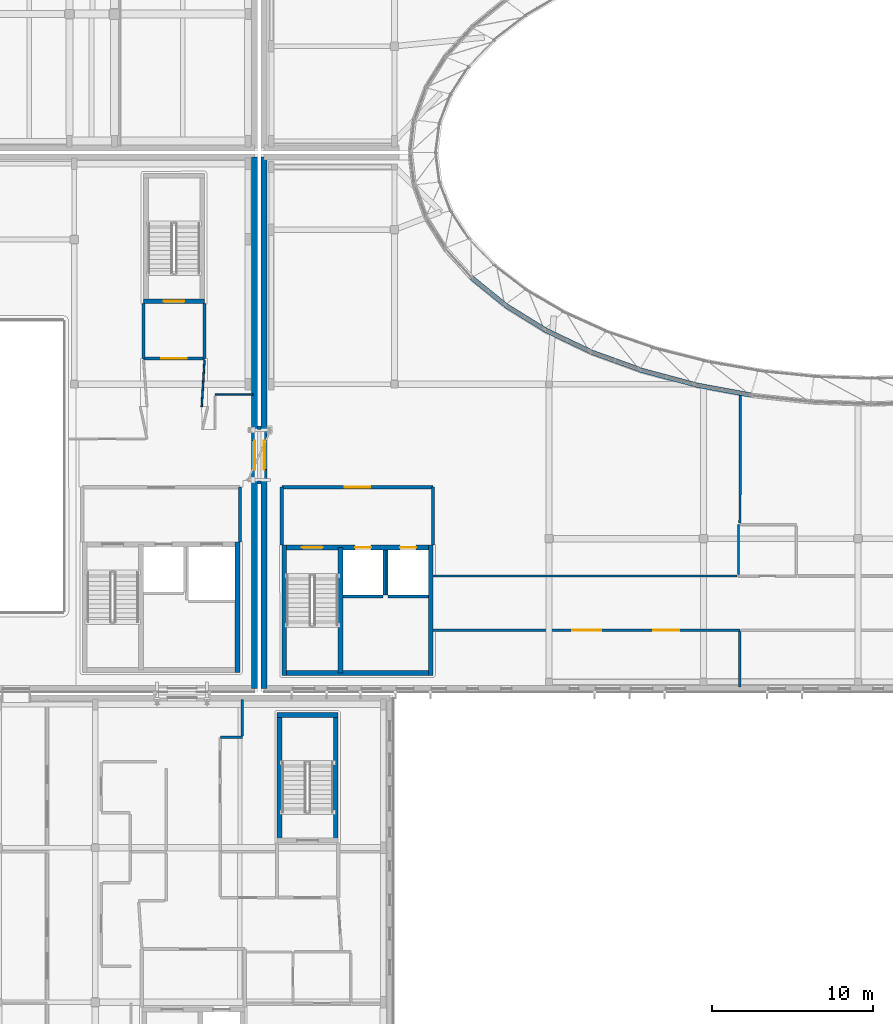
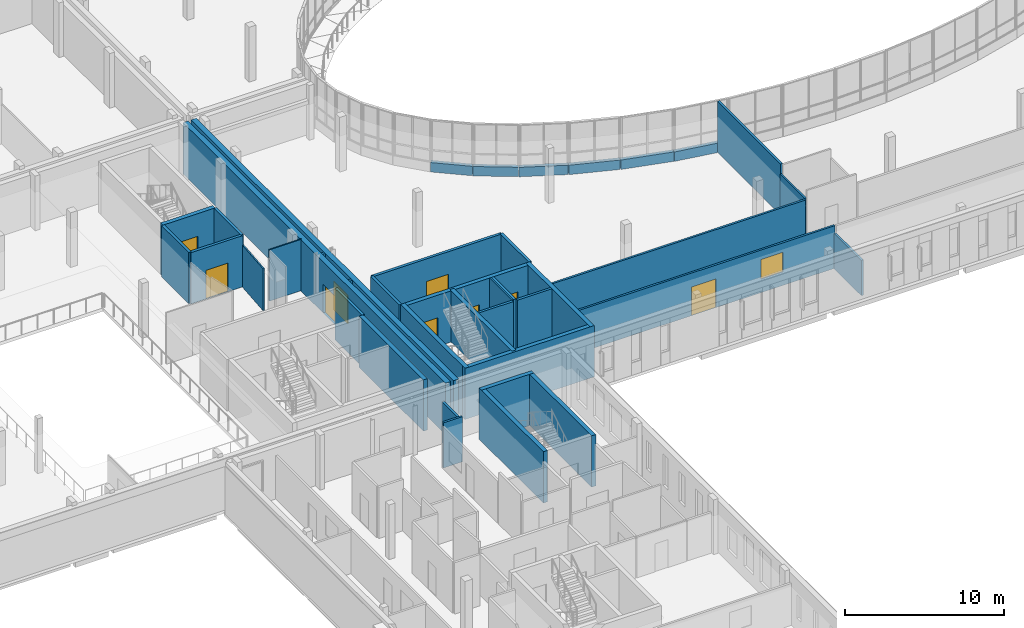
# One storey, part 44 of 84: 40 walls, 9 doors, 1 window, 10 openings.
"""IFC4 building model written with IfcOpenShell, lengths in metres."""

from ifc_helpers import new_model, si_unit, direction, frame, frame_2d, origin, place, context, subcontext, project, spatial, rectangle, extrude, material, layer, layer_set, type_object, element, fill, save


model = new_model("IFC4")

# Units and contexts
model_context = context("Model", 3, precision=1e-05, world=origin(), true_north=direction((0.0, 1.0)))
body_context = subcontext(model_context, "Body", "Model", "MODEL_VIEW")
ifc_project = project(units=[si_unit("LENGTHUNIT", "METRE"), si_unit("AREAUNIT", "SQUARE_METRE"), si_unit("VOLUMEUNIT", "CUBIC_METRE"), si_unit("PLANEANGLEUNIT", "RADIAN"), si_unit("MASSUNIT", "GRAM", prefix="KILO")], contexts=[model_context])

# Site, building, storey
site_placement = place(None, origin())
site = spatial("IfcSite", under=ifc_project, at=site_placement, CompositionType="ELEMENT")
building_placement = place(site_placement, origin())
building = spatial("IfcBuilding", under=site, at=building_placement, Name="Mzevani Central Library", CompositionType="ELEMENT")
storey_placement = place(building_placement, frame((0.0, 0.0, 5.39990234375)))
storey = spatial("IfcBuildingStorey", under=building, at=storey_placement, Name="L01", CompositionType="ELEMENT", Elevation=5.39990234375)

# Walls
ifc_material_1 = material(Name="Concrete C35/45", Category="concrete")
ifc_layer_1 = layer(ifc_material_1, 0.199951171875, Name="Compartment Wall 200")
ifc_layer_set_1 = layer_set([ifc_layer_1], Name="Concrete C35/45")
wall_type_1 = type_object("IfcWallType", Name="Compartment Wall 200", PredefinedType="STANDARD", material=ifc_layer_set_1)
for number, where, z_axis, x_axis, name in (
    (1, (45.89990234375, 55.5, 0.0), (0.0, 0.0, 1.0), (1.0, 0.0, 0.0), "L01 West Reading Seismic Passage L01 Seismic Joint Enclosure Wall 1"),
    (2, (45.89990234375, 58.89990234375, 0.0), (0.0, 0.0, 1.0), (1.0, 0.0, 0.0), "L01 West Reading Seismic Passage L01 Seismic Joint Enclosure Wall 2"),
):
    element("IfcWall", number, at=place(storey_placement, frame(where, z_axis=z_axis, x_axis=x_axis)), inside=storey, type_object=wall_type_1, Name=name, PredefinedType="STANDARD", context=body_context, shape_type="SweptSolid", body=[
        extrude(rectangle(XDim=0.2001953125, YDim=0.199951171875, at=frame_2d((0.10009765625, 0.0))), origin(), (0.0, 0.0, 1.0), 3.940185546875),
    ])
wall_1_placement = place(storey_placement, frame((47.39990234375, 51.60009765625, 0.0), z_axis=(0.0, 0.0, 1.0), x_axis=(0.0, 1.0, 0.0)))
element("IfcWall", 3, at=wall_1_placement, inside=storey, type_object=wall_type_1, Name="L01 Protected Stair Lobby C1A Enclosure Wall 1", PredefinedType="STANDARD", context=body_context, shape_type="SweptSolid", body=[
    extrude(rectangle(XDim=3.599853515625, YDim=0.199951171875, at=frame_2d((1.7998046875, 0.0))), origin(), (0.0, 0.0, 1.0), 3.940185546875),
])

# Wall, opening, door
wall_2_placement = place(storey_placement, frame((47.39990234375, 55.199951171875, 0.0), z_axis=(0.0, 0.0, 1.0), x_axis=(1.0, 0.0, 0.0)))
wall_2 = element("IfcWall", 4, at=wall_2_placement, inside=storey, type_object=wall_type_1, Name="L01 Protected Stair Lobby C1A Enclosure Wall 2", PredefinedType="STANDARD", context=body_context, shape_type="SweptSolid", body=[
    extrude(rectangle(XDim=9.400146484375, YDim=0.199951171875, at=frame_2d((4.7001953125, 0.0))), origin(), (0.0, 0.0, 1.0), 3.940185546875),
])
opening_1_placement = place(wall_2_placement, frame((3.89990234375, 0.0, 0.0)))
opening_1 = element("IfcOpeningElement", 5, at=opening_1_placement, cuts=wall_2, Name="Opening FD-02", PredefinedType="OPENING", context=body_context, shape_type="SweptSolid", body=[
    extrude(rectangle(XDim=1.60009765625, YDim=2.199951171875, at=frame_2d((0.800048828125, 1.10009765625))), frame((0.0, 0.10986328125, 0.0), z_axis=(0.0, -1.0, 0.0), x_axis=(1.0, 0.0, 0.0)), (0.0, 0.0, 1.0), 0.219970703125),
])
ifc_material_2 = material(Name="Fire-rated steel door assembly", Category="steel")
door_type_1 = type_object("IfcDoorType", Name="Fire Lobby Double Door 1600x2200", OperationType="NOTDEFINED", PredefinedType="DOOR", material=ifc_material_2)
door_1_placement = place(opening_1_placement, origin())
door_1 = element("IfcDoor", 6, at=door_1_placement, inside=storey, type_object=door_type_1, Name="L01 Protected Stair Lobby C1A Smoke-Control Door", OperationType="DOUBLE_DOOR_SINGLE_SWING", OverallHeight=2.199951171875, OverallWidth=1.60009765625, PredefinedType="DOOR", context=body_context, shape_type="SweptSolid", body=[
    extrude(rectangle(XDim=1.60009765625, YDim=2.199951171875, at=frame_2d((0.800048828125, 1.10009765625))), frame((0.0, 0.02490234375, 0.0), z_axis=(0.0, -1.0, 0.0), x_axis=(1.0, 0.0, 0.0)), (0.0, 0.0, 1.0), 0.050048828125),
])
fill(opening_1, door_1)

# Walls
wall_3_placement = place(storey_placement, frame((56.800048828125, 55.199951171875, 0.0), z_axis=(0.0, 0.0, 1.0), x_axis=(0.0, -1.0, 0.0)))
element("IfcWall", 7, at=wall_3_placement, inside=storey, type_object=wall_type_1, Name="L01 Protected Stair Lobby C1A Enclosure Wall 3", PredefinedType="STANDARD", context=body_context, shape_type="SweptSolid", body=[
    extrude(rectangle(XDim=3.599853515625, YDim=0.199951171875, at=frame_2d((1.7998046875, 0.0))), origin(), (0.0, 0.0, 1.0), 3.940185546875),
])
wall_4_placement = place(storey_placement, frame((44.800048828125, 55.199951171875, 0.0), z_axis=(0.0, 0.0, 1.0), x_axis=(0.0, -1.0, 0.0)))
element("IfcWall", 8, at=wall_4_placement, inside=storey, type_object=wall_type_1, Name="L01 Protected Stair Lobby C5A Enclosure Wall 3", PredefinedType="STANDARD", context=body_context, shape_type="SweptSolid", body=[
    extrude(rectangle(XDim=3.39990234375, YDim=0.199951171875, at=frame_2d((1.699951171875, 0.0))), origin(), (0.0, 0.0, 1.0), 3.940185546875),
])
wall_5_placement = place(storey_placement, frame((38.800048828125, 66.60009765625, 0.0), z_axis=(0.0, 0.0, 1.0), x_axis=(0.0, -1.0, 0.0)))
element("IfcWall", 9, at=wall_5_placement, inside=storey, type_object=wall_type_1, Name="L01 Stair Vestibule C5B Enclosure Wall 1", PredefinedType="STANDARD", context=body_context, shape_type="SweptSolid", body=[
    extrude(rectangle(XDim=3.400146484375, YDim=0.199951171875, at=frame_2d((1.7001953125, 0.0))), origin(), (0.0, 0.0, 1.0), 3.940185546875),
])

# Wall, opening, door
wall_6_placement = place(storey_placement, frame((38.800048828125, 63.199951171875, 0.0), z_axis=(0.0, 0.0, 1.0), x_axis=(1.0, 0.0, 0.0)))
wall_6 = element("IfcWall", 10, at=wall_6_placement, inside=storey, type_object=wall_type_1, Name="L01 Stair Vestibule C5B Enclosure Wall 2", PredefinedType="STANDARD", context=body_context, shape_type="SweptSolid", body=[
    extrude(rectangle(XDim=3.800048828125, YDim=0.199951171875, at=frame_2d((1.89990234375, 0.0))), origin(), (0.0, 0.0, 1.0), 3.940185546875),
])
opening_2_placement = place(wall_6_placement, frame((1.10009765625, 0.0, 0.0)))
opening_2 = element("IfcOpeningElement", 11, at=opening_2_placement, cuts=wall_6, Name="Opening FD-02", PredefinedType="OPENING", context=body_context, shape_type="SweptSolid", body=[
    extrude(rectangle(XDim=1.60009765625, YDim=2.199951171875, at=frame_2d((0.800048828125, 1.10009765625))), frame((0.0, 0.10986328125, 0.0), z_axis=(0.0, -1.0, 0.0), x_axis=(1.0, 0.0, 0.0)), (0.0, 0.0, 1.0), 0.219970703125),
])
door_2_placement = place(opening_2_placement, origin())
door_2 = element("IfcDoor", 12, at=door_2_placement, inside=storey, type_object=door_type_1, Name="L01 Stair Vestibule C5B Smoke-Control Door", OperationType="DOUBLE_DOOR_SINGLE_SWING", OverallHeight=2.199951171875, OverallWidth=1.60009765625, PredefinedType="DOOR", context=body_context, shape_type="SweptSolid", body=[
    extrude(rectangle(XDim=1.60009765625, YDim=2.199951171875, at=frame_2d((0.800048828125, 1.10009765625))), frame((0.0, 0.02490234375, 0.0), z_axis=(0.0, -1.0, 0.0), x_axis=(1.0, 0.0, 0.0)), (0.0, 0.0, 1.0), 0.050048828125),
])
fill(opening_2, door_2)

# Walls
wall_7_placement = place(storey_placement, frame((42.60009765625, 63.199951171875, 0.0), z_axis=(0.0, 0.0, 1.0), x_axis=(0.0, 1.0, 0.0)))
element("IfcWall", 13, at=wall_7_placement, inside=storey, type_object=wall_type_1, Name="L01 Stair Vestibule C5B Enclosure Wall 3", PredefinedType="STANDARD", context=body_context, shape_type="SweptSolid", body=[
    extrude(rectangle(XDim=3.400146484375, YDim=0.199951171875, at=frame_2d((1.7001953125, 0.0))), origin(), (0.0, 0.0, 1.0), 3.940185546875),
])
ifc_material_3 = material(Name="Concrete C40/50", Category="concrete")
ifc_layer_2 = layer(ifc_material_3, 0.300048828125, Name="Core Shear Wall 300")
ifc_layer_set_2 = layer_set([ifc_layer_2], Name="Concrete C40/50")
wall_type_2 = type_object("IfcWallType", Name="Core Shear Wall 300", PredefinedType="SHEAR", material=ifc_layer_set_2)
wall_8_placement = place(storey_placement, frame((56.800048828125, 43.64990234375, 0.0), z_axis=(0.0, 0.0, 1.0), x_axis=(-1.0, 0.0, 0.0)))
element("IfcWall", 14, at=wall_8_placement, inside=storey, type_object=wall_type_2, Name="L01 Core C1A Reading Hall West Shear Wall (-y)", PredefinedType="SHEAR", context=body_context, shape_type="SweptSolid", body=[
    extrude(rectangle(XDim=9.400146484375, YDim=0.300048828125, at=frame_2d((4.7001953125, 0.0))), origin(), (0.0, 0.0, 1.0), 3.940185546875),
])
wall_9_placement = place(storey_placement, frame((47.550048828125, 43.5, 0.0), z_axis=(0.0, 0.0, 1.0), x_axis=(0.0, 1.0, 0.0)))
element("IfcWall", 15, at=wall_9_placement, inside=storey, type_object=wall_type_2, Name="L01 Core C1A Reading Hall West Shear Wall (-x)", PredefinedType="SHEAR", context=body_context, shape_type="SweptSolid", body=[
    extrude(rectangle(XDim=8.10009765625, YDim=0.300048828125, at=frame_2d((4.050048828125, 0.0))), origin(), (0.0, 0.0, 1.0), 3.940185546875),
])

# Wall, openings, doors
wall_10_placement = place(storey_placement, frame((47.39990234375, 51.449951171875, 0.0), z_axis=(0.0, 0.0, 1.0), x_axis=(1.0, 0.0, 0.0)))
wall_10 = element("IfcWall", 16, at=wall_10_placement, inside=storey, type_object=wall_type_2, Name="L01 Core C1A Reading Hall West Shear Wall (+y)", PredefinedType="SHEAR", context=body_context, shape_type="SweptSolid", body=[
    extrude(rectangle(XDim=9.400146484375, YDim=0.300048828125, at=frame_2d((4.7001953125, 0.0))), origin(), (0.0, 0.0, 1.0), 3.940185546875),
])
opening_3_placement = place(wall_10_placement, frame((1.25, 0.0, 0.0)))
opening_3 = element("IfcOpeningElement", 17, at=opening_3_placement, cuts=wall_10, Name="Opening FD-01", PredefinedType="OPENING", context=body_context, shape_type="SweptSolid", body=[
    extrude(rectangle(XDim=1.300048828125, YDim=2.199951171875, at=frame_2d((0.64990234375, 1.10009765625))), frame((0.0, 0.16015625, 0.0), z_axis=(0.0, -1.0, 0.0), x_axis=(1.0, 0.0, 0.0)), (0.0, 0.0, 1.0), 0.320068359375),
])
opening_4_placement = place(wall_10_placement, frame((4.550048828125, 0.0, 0.0)))
opening_4 = element("IfcOpeningElement", 18, at=opening_4_placement, cuts=wall_10, Name="Opening LD-01", PredefinedType="OPENING", context=body_context, shape_type="SweptSolid", body=[
    extrude(rectangle(XDim=1.0, YDim=2.14990234375, at=frame_2d((0.5, 1.074951171875))), frame((0.0, 0.16015625, 0.0), z_axis=(0.0, -1.0, 0.0), x_axis=(1.0, 0.0, 0.0)), (0.0, 0.0, 1.0), 0.320068359375),
])
opening_5_placement = place(wall_10_placement, frame((7.35009765625, 0.0, 0.0)))
opening_5 = element("IfcOpeningElement", 19, at=opening_5_placement, cuts=wall_10, Name="Opening LD-01", PredefinedType="OPENING", context=body_context, shape_type="SweptSolid", body=[
    extrude(rectangle(XDim=1.0, YDim=2.14990234375, at=frame_2d((0.5, 1.074951171875))), frame((0.0, 0.16015625, 0.0), z_axis=(0.0, -1.0, 0.0), x_axis=(1.0, 0.0, 0.0)), (0.0, 0.0, 1.0), 0.320068359375),
])
door_type_2 = type_object("IfcDoorType", Name="Fire Stair Door 1300x2200", OperationType="NOTDEFINED", PredefinedType="DOOR", material=ifc_material_2)
door_3_placement = place(opening_3_placement, origin())
door_3 = element("IfcDoor", 20, at=door_3_placement, inside=storey, type_object=door_type_2, Name="L01 ST-01 Protected Exit Stair Door", OperationType="SINGLE_SWING_LEFT", OverallHeight=2.199951171875, OverallWidth=1.300048828125, PredefinedType="DOOR", context=body_context, shape_type="SweptSolid", body=[
    extrude(rectangle(XDim=1.300048828125, YDim=2.199951171875, at=frame_2d((0.64990234375, 1.10009765625))), frame((0.0, 0.02490234375, 0.0), z_axis=(0.0, -1.0, 0.0), x_axis=(1.0, 0.0, 0.0)), (0.0, 0.0, 1.0), 0.050048828125),
])
fill(opening_3, door_3)
ifc_material_4 = material(Name="Brushed stainless steel door", Category="steel")
door_type_3 = type_object("IfcDoorType", Name="Passenger Lift Landing Door 1000x2150", OperationType="NOTDEFINED", PredefinedType="DOOR", material=ifc_material_4)
door_4_placement = place(opening_4_placement, origin())
door_4 = element("IfcDoor", 21, at=door_4_placement, inside=storey, type_object=door_type_3, Name="L01 Lift LF-P1 Sliding Landing Door", OperationType="SLIDING_TO_LEFT", OverallHeight=2.14990234375, OverallWidth=1.0, PredefinedType="DOOR", context=body_context, shape_type="SweptSolid", body=[
    extrude(rectangle(XDim=1.0, YDim=2.14990234375, at=frame_2d((0.5, 1.074951171875))), frame((0.0, 0.02490234375, 0.0), z_axis=(0.0, -1.0, 0.0), x_axis=(1.0, 0.0, 0.0)), (0.0, 0.0, 1.0), 0.050048828125),
])
fill(opening_4, door_4)
door_5_placement = place(opening_5_placement, origin())
door_5 = element("IfcDoor", 22, at=door_5_placement, inside=storey, type_object=door_type_3, Name="L01 Lift LF-P2 Sliding Landing Door", OperationType="SLIDING_TO_LEFT", OverallHeight=2.14990234375, OverallWidth=1.0, PredefinedType="DOOR", context=body_context, shape_type="SweptSolid", body=[
    extrude(rectangle(XDim=1.0, YDim=2.14990234375, at=frame_2d((0.5, 1.074951171875))), frame((0.0, 0.02490234375, 0.0), z_axis=(0.0, -1.0, 0.0), x_axis=(1.0, 0.0, 0.0)), (0.0, 0.0, 1.0), 0.050048828125),
])
fill(opening_5, door_5)

# Walls
wall_11_placement = place(storey_placement, frame((56.64990234375, 51.60009765625, 0.0), z_axis=(0.0, 0.0, 1.0), x_axis=(0.0, -1.0, 0.0)))
element("IfcWall", 23, at=wall_11_placement, inside=storey, type_object=wall_type_2, Name="L01 Core C1A Reading Hall West Shear Wall (+x)", PredefinedType="SHEAR", context=body_context, shape_type="SweptSolid", body=[
    extrude(rectangle(XDim=8.10009765625, YDim=0.300048828125, at=frame_2d((4.050048828125, 0.0))), origin(), (0.0, 0.0, 1.0), 3.940185546875),
])
wall_12_placement = place(storey_placement, frame((51.050048828125, 43.64990234375, 0.0), z_axis=(0.0, 0.0, 1.0), x_axis=(0.0, 1.0, 0.0)))
element("IfcWall", 24, at=wall_12_placement, inside=storey, type_object=wall_type_2, Name="L01 Core C1A Reading Hall West Hoistway Shear Wall", PredefinedType="SHEAR", context=body_context, shape_type="SweptSolid", body=[
    extrude(rectangle(XDim=7.800048828125, YDim=0.300048828125, at=frame_2d((3.89990234375, 0.0))), origin(), (0.0, 0.0, 1.0), 3.940185546875),
])
wall_13_placement = place(storey_placement, frame((47.25, 33.10009765625, 0.0), z_axis=(0.0, 0.0, 1.0), x_axis=(0.0, 1.0, 0.0)))
element("IfcWall", 25, at=wall_13_placement, inside=storey, type_object=wall_type_2, Name="L01 Core C4B Square South Escape Stair Shear Wall (-x)", PredefinedType="SHEAR", context=body_context, shape_type="SweptSolid", body=[
    extrude(rectangle(XDim=8.099853515625, YDim=0.300048828125, at=frame_2d((4.0498046875, 0.0))), origin(), (0.0, 0.0, 1.0), 3.940185546875),
])
wall_14_placement = place(storey_placement, frame((47.10009765625, 41.050048828125, 0.0), z_axis=(0.0, 0.0, 1.0), x_axis=(1.0, 0.0, 0.0)))
element("IfcWall", 26, at=wall_14_placement, inside=storey, type_object=wall_type_2, Name="L01 Core C4B Square South Escape Stair Shear Wall (+y)", PredefinedType="SHEAR", context=body_context, shape_type="SweptSolid", body=[
    extrude(rectangle(XDim=3.7998046875, YDim=0.300048828125, at=frame_2d((1.89990234375, 0.0))), origin(), (0.0, 0.0, 1.0), 3.940185546875),
])
wall_15_placement = place(storey_placement, frame((50.75, 41.199951171875, 0.0), z_axis=(0.0, 0.0, 1.0), x_axis=(0.0, -1.0, 0.0)))
element("IfcWall", 27, at=wall_15_placement, inside=storey, type_object=wall_type_2, Name="L01 Core C4B Square South Escape Stair Shear Wall (+x)", PredefinedType="SHEAR", context=body_context, shape_type="SweptSolid", body=[
    extrude(rectangle(XDim=8.099853515625, YDim=0.300048828125, at=frame_2d((4.0498046875, 0.0))), origin(), (0.0, 0.0, 1.0), 3.940185546875),
])
wall_16_placement = place(storey_placement, frame((44.64990234375, 51.800048828125, 0.0), z_axis=(0.0, 0.0, 1.0), x_axis=(0.0, -1.0, 0.0)))
element("IfcWall", 28, at=wall_16_placement, inside=storey, type_object=wall_type_2, Name="L01 Core C5A Auditorium & Goods Core Shear Wall (+x)", PredefinedType="SHEAR", context=body_context, shape_type="SweptSolid", body=[
    extrude(rectangle(XDim=8.10009765625, YDim=0.300048828125, at=frame_2d((4.050048828125, 0.0))), origin(), (0.0, 0.0, 1.0), 3.940185546875),
])

# Wall, opening, door
wall_17_placement = place(storey_placement, frame((42.60009765625, 66.75, 0.0), z_axis=(0.0, 0.0, 1.0), x_axis=(-1.0, 0.0, 0.0)))
wall_17 = element("IfcWall", 29, at=wall_17_placement, inside=storey, type_object=wall_type_2, Name="L01 Core C5B Lecture North Escape Stair Shear Wall (-y)", PredefinedType="SHEAR", context=body_context, shape_type="SweptSolid", body=[
    extrude(rectangle(XDim=3.800048828125, YDim=0.300048828125, at=frame_2d((1.89990234375, 0.0))), origin(), (0.0, 0.0, 1.0), 3.940185546875),
])
opening_6_placement = place(wall_17_placement, frame((1.25, 0.0, 0.0)))
opening_6 = element("IfcOpeningElement", 30, at=opening_6_placement, cuts=wall_17, Name="Opening FD-01", PredefinedType="OPENING", context=body_context, shape_type="SweptSolid", body=[
    extrude(rectangle(XDim=1.300048828125, YDim=2.199951171875, at=frame_2d((0.64990234375, 1.10009765625))), frame((0.0, 0.16015625, 0.0), z_axis=(0.0, -1.0, 0.0), x_axis=(1.0, 0.0, 0.0)), (0.0, 0.0, 1.0), 0.320068359375),
])
door_6_placement = place(opening_6_placement, origin())
door_6 = element("IfcDoor", 31, at=door_6_placement, inside=storey, type_object=door_type_2, Name="L01 ST-10 Protected Exit Stair Door", OperationType="SINGLE_SWING_RIGHT", OverallHeight=2.199951171875, OverallWidth=1.300048828125, PredefinedType="DOOR", context=body_context, shape_type="SweptSolid", body=[
    extrude(rectangle(XDim=1.300048828125, YDim=2.199951171875, at=frame_2d((0.64990234375, 1.10009765625))), frame((0.0, 0.02490234375, 0.0), z_axis=(0.0, -1.0, 0.0), x_axis=(1.0, 0.0, 0.0)), (0.0, 0.0, 1.0), 0.050048828125),
])
fill(opening_6, door_6)

# Walls
ifc_material_5 = material(Name="Precast concrete C40/50", Category="concrete")
ifc_layer_3 = layer(ifc_material_5, 0.280029296875, Name="Court Spandrel Wall 280")
ifc_layer_set_3 = layer_set([ifc_layer_3], Name="Precast concrete C40/50")
wall_type_3 = type_object("IfcWallType", Name="Court Spandrel Wall 280", PredefinedType="STANDARD", material=ifc_layer_set_3)
wall_18_placement = place(storey_placement, frame((59.197998046875, 68.21875, 0.0), z_axis=(0.0, 0.0, 1.0), x_axis=(0.776243179452, -0.63043360186, 0.0)))
element("IfcWall", 32, at=wall_18_placement, inside=storey, type_object=wall_type_3, Name="L01 Elliptical Court Spandrel 29", PredefinedType="STANDARD", context=body_context, shape_type="SweptSolid", body=[
    extrude(rectangle(XDim=2.658935546875, YDim=0.280029296875, at=frame_2d((1.32958984375, 0.0))), origin(), (0.0, 0.0, 1.0), 0.72021484375),
])
wall_19_placement = place(storey_placement, frame((61.27001953125, 66.52294921875, 0.0), z_axis=(0.0, 0.0, 1.0), x_axis=(0.850375313237, -0.526176611639, 0.0)))
element("IfcWall", 33, at=wall_19_placement, inside=storey, type_object=wall_type_3, Name="L01 Elliptical Court Spandrel 30", PredefinedType="STANDARD", context=body_context, shape_type="SweptSolid", body=[
    extrude(rectangle(XDim=2.88037109375, YDim=0.280029296875, at=frame_2d((1.440185546875, 0.0))), origin(), (0.0, 0.0, 1.0), 0.72021484375),
])
wall_20_placement = place(storey_placement, frame((63.731201171875, 64.986083984375, 0.0), z_axis=(0.0, 0.0, 1.0), x_axis=(0.902940744527, -0.429765065905, 0.0)))
element("IfcWall", 34, at=wall_20_placement, inside=storey, type_object=wall_type_3, Name="L01 Elliptical Court Spandrel 31", PredefinedType="STANDARD", context=body_context, shape_type="SweptSolid", body=[
    extrude(rectangle(XDim=3.09326171875, YDim=0.280029296875, at=frame_2d((1.546630859375, 0.0))), origin(), (0.0, 0.0, 1.0), 0.72021484375),
])
wall_21_placement = place(storey_placement, frame((66.540283203125, 63.6337890625, 0.0), z_axis=(0.0, 0.0, 1.0), x_axis=(0.940120589317, -0.340842012583, 0.0)))
element("IfcWall", 35, at=wall_21_placement, inside=storey, type_object=wall_type_3, Name="L01 Elliptical Court Spandrel 32", PredefinedType="STANDARD", context=body_context, shape_type="SweptSolid", body=[
    extrude(rectangle(XDim=3.28564453125, YDim=0.280029296875, at=frame_2d((1.642822265625, 0.0))), origin(), (0.0, 0.0, 1.0), 0.72021484375),
])
wall_22_placement = place(storey_placement, frame((69.652099609375, 62.48974609375, 0.0), z_axis=(0.0, 0.0, 1.0), x_axis=(0.966008995784, -0.258508452598, 0.0)))
element("IfcWall", 36, at=wall_22_placement, inside=storey, type_object=wall_type_3, Name="L01 Elliptical Court Spandrel 33", PredefinedType="STANDARD", context=body_context, shape_type="SweptSolid", body=[
    extrude(rectangle(XDim=3.448974609375, YDim=0.280029296875, at=frame_2d((1.724609375, 0.0))), origin(), (0.0, 0.0, 1.0), 0.72021484375),
])
wall_23_placement = place(storey_placement, frame((73.01513671875, 61.574462890625, 0.0), z_axis=(0.0, 0.0, 1.0), x_axis=(0.983444547385, -0.181209332591, 0.0)))
element("IfcWall", 37, at=wall_23_placement, inside=storey, type_object=wall_type_3, Name="L01 Elliptical Court Spandrel 34", PredefinedType="STANDARD", context=body_context, shape_type="SweptSolid", body=[
    extrude(rectangle(XDim=3.5771484375, YDim=0.280029296875, at=frame_2d((1.78857421875, 0.0))), origin(), (0.0, 0.0, 1.0), 0.72021484375),
])

# Wall, opening, door
ifc_layer_4 = layer(ifc_material_5, 0.3798828125, Name="Exterior Thermal Concrete Wall 380")
ifc_layer_set_4 = layer_set([ifc_layer_4], Name="Precast concrete C40/50")
wall_type_4 = type_object("IfcWallType", Name="Exterior Thermal Concrete Wall 380", PredefinedType="STANDARD", material=ifc_layer_set_4)
wall_24_placement = place(storey_placement, frame((46.2900390625, 42.68994140625, 0.0), z_axis=(0.0, 0.0, 1.0), x_axis=(0.0, 1.0, 0.0)))
wall_24 = element("IfcWall", 38, at=wall_24_placement, inside=storey, type_object=wall_type_4, Name="L01 V1 Exterior Thermal Wall (7)", PredefinedType="STANDARD", context=body_context, shape_type="SweptSolid", body=[
    extrude(rectangle(XDim=33.02001953125, YDim=0.3798828125, at=frame_2d((16.510009765625, 0.0))), origin(), (0.0, 0.0, 1.0), 3.940185546875),
])
opening_7_placement = place(wall_24_placement, frame((13.610107421875, 0.0, 0.0)))
opening_7 = element("IfcOpeningElement", 39, at=opening_7_placement, cuts=wall_24, Name="Opening FD-06", PredefinedType="OPENING", context=body_context, shape_type="SweptSolid", body=[
    extrude(rectangle(XDim=1.800048828125, YDim=2.199951171875, at=frame_2d((0.89990234375, 1.10009765625))), frame((0.0, 0.199951171875, 0.0), z_axis=(0.0, -1.0, 0.0), x_axis=(1.0, 0.0, 0.0)), (0.0, 0.0, 1.0), 0.39990234375),
])
door_type_4 = type_object("IfcDoorType", Name="Fire Corridor Double Door 1800x2200", OperationType="NOTDEFINED", PredefinedType="DOOR", material=ifc_material_2)
door_7_placement = place(opening_7_placement, origin())
door_7 = element("IfcDoor", 40, at=door_7_placement, inside=storey, type_object=door_type_4, Name="L01 West Reading Seismic Passage L01 Fire Portal Door (V1)", OperationType="DOUBLE_DOOR_SINGLE_SWING", OverallHeight=2.199951171875, OverallWidth=1.800048828125, PredefinedType="DOOR", context=body_context, shape_type="SweptSolid", body=[
    extrude(rectangle(XDim=1.800048828125, YDim=2.199951171875, at=frame_2d((0.89990234375, 1.10009765625))), frame((0.0, 0.02490234375, 0.0), z_axis=(0.0, -1.0, 0.0), x_axis=(1.0, 0.0, 0.0)), (0.0, 0.0, 1.0), 0.050048828125),
])
fill(opening_7, door_7)

wall_25_placement = place(storey_placement, frame((45.7099609375, 75.7099609375, 0.0), z_axis=(0.0, 0.0, 1.0), x_axis=(0.0, -1.0, 0.0)))
wall_25 = element("IfcWall", 41, at=wall_25_placement, inside=storey, type_object=wall_type_4, Name="L01 V5 Exterior Thermal Wall (94)", PredefinedType="STANDARD", context=body_context, shape_type="SweptSolid", body=[
    extrude(rectangle(XDim=33.02001953125, YDim=0.3798828125, at=frame_2d((16.510009765625, 0.0))), origin(), (0.0, 0.0, 1.0), 3.940185546875),
])
opening_8_placement = place(wall_25_placement, frame((17.610107421875, 0.0, 0.0)))
opening_8 = element("IfcOpeningElement", 42, at=opening_8_placement, cuts=wall_25, Name="Opening FD-06", PredefinedType="OPENING", context=body_context, shape_type="SweptSolid", body=[
    extrude(rectangle(XDim=1.800048828125, YDim=2.199951171875, at=frame_2d((0.89990234375, 1.10009765625))), frame((0.0, 0.199951171875, 0.0), z_axis=(0.0, -1.0, 0.0), x_axis=(1.0, 0.0, 0.0)), (0.0, 0.0, 1.0), 0.39990234375),
])
door_8_placement = place(opening_8_placement, origin())
door_8 = element("IfcDoor", 43, at=door_8_placement, inside=storey, type_object=door_type_4, Name="L01 West Reading Seismic Passage L01 Fire Portal Door (V5)", OperationType="DOUBLE_DOOR_SINGLE_SWING", OverallHeight=2.199951171875, OverallWidth=1.800048828125, PredefinedType="DOOR", context=body_context, shape_type="SweptSolid", body=[
    extrude(rectangle(XDim=1.800048828125, YDim=2.199951171875, at=frame_2d((0.89990234375, 1.10009765625))), frame((0.0, 0.02490234375, 0.0), z_axis=(0.0, -1.0, 0.0), x_axis=(1.0, 0.0, 0.0)), (0.0, 0.0, 1.0), 0.050048828125),
])
fill(opening_8, door_8)

# Walls
ifc_material_6 = material(Name="Fire-rated gypsum board", Category="gypsum")
ifc_layer_5 = layer(ifc_material_6, 0.1201171875, Name="Partition Acoustic 120")
ifc_layer_set_5 = layer_set([ifc_layer_5], Name="Fire-rated gypsum board")
wall_type_5 = type_object("IfcWallType", Name="Partition Acoustic 120", PredefinedType="PARTITIONING", material=ifc_layer_set_5)
wall_26_placement = place(storey_placement, frame((75.77490234375, 49.780029296875, 0.0), z_axis=(0.0, 0.0, 1.0), x_axis=(0.0, 1.0, 0.0)))
element("IfcWall", 44, at=wall_26_placement, inside=storey, type_object=wall_type_5, Name="L01 V1 Partition IW-02 (190)", PredefinedType="PARTITIONING", context=body_context, shape_type="SweptSolid", body=[
    extrude(rectangle(XDim=3.099853515625, YDim=0.1201171875, at=frame_2d((1.5498046875, 0.0))), origin(), (0.0, 0.0, 1.0), 3.27001953125),
])
ifc_layer_6 = layer(ifc_material_6, 0.10009765625, Name="Partition Gypsum 100")
ifc_layer_set_6 = layer_set([ifc_layer_6], Name="Fire-rated gypsum board")
wall_type_6 = type_object("IfcWallType", Name="Partition Gypsum 100", PredefinedType="PARTITIONING", material=ifc_layer_set_6)
wall_27_placement = place(storey_placement, frame((45.610107421875, 60.949951171875, 0.0), z_axis=(0.0, 0.0, 1.0), x_axis=(-1.0, 0.0, 0.0)))
element("IfcWall", 45, at=wall_27_placement, inside=storey, type_object=wall_type_6, Name="L01 V5 Partition IW-01 (333)", PredefinedType="PARTITIONING", context=body_context, shape_type="SweptSolid", body=[
    extrude(rectangle(XDim=2.360107421875, YDim=0.10009765625, at=frame_2d((1.18017578125, 0.0))), origin(), (0.0, 0.0, 1.0), 3.940185546875),
])
wall_28_placement = place(storey_placement, frame((42.42138671875, 60.189697265625, 0.0), z_axis=(0.0, 0.0, 1.0), x_axis=(0.059203078041, 0.998245959446, 0.0)))
element("IfcWall", 46, at=wall_28_placement, inside=storey, type_object=wall_type_6, Name="L01 V5 Partition IW-01 (336)", PredefinedType="PARTITIONING", context=body_context, shape_type="SweptSolid", body=[
    extrude(rectangle(XDim=2.91552734375, YDim=0.10009765625, at=frame_2d((1.457763671875, 0.0))), origin(), (0.0, 0.0, 1.0), 3.22021484375),
])
ifc_layer_7 = layer(ifc_material_6, 0.14990234375, Name="Partition Study 150")
ifc_layer_set_7 = layer_set([ifc_layer_7], Name="Fire-rated gypsum board")
wall_type_7 = type_object("IfcWallType", Name="Partition Study 150", PredefinedType="PARTITIONING", material=ifc_layer_set_7)
wall_29_placement = place(storey_placement, frame((75.8935546875, 60.92822265625, 0.0), z_axis=(0.0, 0.0, 1.0), x_axis=(-0.003532352947, -0.999993761222, 0.0)))
element("IfcWall", 47, at=wall_29_placement, inside=storey, type_object=wall_type_7, Name="L01 V1 Partition IW-03 (193)", PredefinedType="PARTITIONING", context=body_context, shape_type="SweptSolid", body=[
    extrude(rectangle(XDim=7.9482421875, YDim=0.14990234375, at=frame_2d((3.97412109375, 0.0))), origin(), (0.0, 0.0, 1.0), 3.940185546875),
])
wall_30_placement = place(storey_placement, frame((75.6748046875, 49.679931640625, 0.0), z_axis=(0.0, 0.0, 1.0), x_axis=(-1.0, 0.0, 0.0)))
element("IfcWall", 48, at=wall_30_placement, inside=storey, type_object=wall_type_7, Name="L01 V1 Partition IW-03 (194)", PredefinedType="PARTITIONING", context=body_context, shape_type="SweptSolid", body=[
    extrude(rectangle(XDim=18.874755859375, YDim=0.14990234375, at=frame_2d((9.4375, 0.0))), origin(), (0.0, 0.0, 1.0), 3.27001953125),
])

# Wall, openings, door, window
wall_31_placement = place(storey_placement, frame((56.800048828125, 46.320068359375, 0.0), z_axis=(0.0, 0.0, 1.0), x_axis=(1.0, 0.0, 0.0)))
wall_31 = element("IfcWall", 49, at=wall_31_placement, inside=storey, type_object=wall_type_7, Name="L01 V1 Partition IW-03 (195)", PredefinedType="PARTITIONING", context=body_context, shape_type="SweptSolid", body=[
    extrude(rectangle(XDim=19.06494140625, YDim=0.14990234375, at=frame_2d((9.532470703125, 0.0))), origin(), (0.0, 0.0, 1.0), 3.27001953125),
])
opening_9_placement = place(wall_31_placement, frame((8.632568359375, 0.0, 0.0)))
opening_9 = element("IfcOpeningElement", 50, at=opening_9_placement, cuts=wall_31, Name="Opening FD-06", PredefinedType="OPENING", context=body_context, shape_type="SweptSolid", body=[
    extrude(rectangle(XDim=1.800048828125, YDim=2.199951171875, at=frame_2d((0.89990234375, 1.10009765625))), frame((0.0, 0.0849609375, 0.0), z_axis=(0.0, -1.0, 0.0), x_axis=(1.0, 0.0, 0.0)), (0.0, 0.0, 1.0), 0.169921875),
])
opening_10_placement = place(wall_31_placement, frame((13.689453125, 0.0, 1.050048828125)))
opening_10 = element("IfcOpeningElement", 51, at=opening_10_placement, cuts=wall_31, Name="Opening IW-W01", PredefinedType="OPENING", context=body_context, shape_type="SweptSolid", body=[
    extrude(rectangle(XDim=1.60009765625, YDim=1.5, at=frame_2d((0.800048828125, 0.75))), frame((0.0, 0.0849609375, 0.0), z_axis=(0.0, -1.0, 0.0), x_axis=(1.0, 0.0, 0.0)), (0.0, 0.0, 1.0), 0.169921875),
])
door_9_placement = place(opening_9_placement, origin())
door_9 = element("IfcDoor", 52, at=door_9_placement, inside=storey, type_object=door_type_4, Name="L01 Upper Reading Mezzanine Door", OperationType="DOUBLE_DOOR_SINGLE_SWING", OverallHeight=2.199951171875, OverallWidth=1.800048828125, PredefinedType="DOOR", context=body_context, shape_type="SweptSolid", body=[
    extrude(rectangle(XDim=1.800048828125, YDim=2.199951171875, at=frame_2d((0.89990234375, 1.10009765625))), frame((0.0, 0.02490234375, 0.0), z_axis=(0.0, -1.0, 0.0), x_axis=(1.0, 0.0, 0.0)), (0.0, 0.0, 1.0), 0.050048828125),
])
fill(opening_9, door_9)
ifc_material_7 = material(Name="Low-E triple glazing glass", Category="glass")
window_type = type_object("IfcWindowType", Name="Interior Borrowed Light 1600x1500", PartitioningType="SINGLE_PANEL", PredefinedType="WINDOW", material=ifc_material_7)
window_placement = place(opening_10_placement, origin())
window = element("IfcWindow", 53, at=window_placement, inside=storey, type_object=window_type, Name="L01 Upper Reading Mezzanine Acoustic Borrowed Light", OverallHeight=1.5, OverallWidth=1.60009765625, PartitioningType="SINGLE_PANEL", PredefinedType="WINDOW", context=body_context, shape_type="SweptSolid", body=[
    extrude(rectangle(XDim=1.60009765625, YDim=1.5, at=frame_2d((0.800048828125, 0.75))), frame((0.0, 0.030029296875, 0.0), z_axis=(0.0, -1.0, 0.0), x_axis=(1.0, 0.0, 0.0)), (0.0, 0.0, 1.0), 0.06005859375),
])
fill(opening_10, window)

# Walls
wall_32_placement = place(storey_placement, frame((75.864990234375, 46.219970703125, 0.0), z_axis=(0.0, 0.0, 1.0), x_axis=(0.0, -1.0, 0.0)))
element("IfcWall", 54, at=wall_32_placement, inside=storey, type_object=wall_type_7, Name="L01 V1 Partition IW-03 (196)", PredefinedType="PARTITIONING", context=body_context, shape_type="SweptSolid", body=[
    extrude(rectangle(XDim=3.429931640625, YDim=0.14990234375, at=frame_2d((1.71484375, 0.0))), origin(), (0.0, 0.0, 1.0), 2.715087890625),
])
wall_33_placement = place(storey_placement, frame((43.580078125, 39.64990234375, 0.0), z_axis=(0.0, 0.0, 1.0), x_axis=(1.0, 0.0, 0.0)))
element("IfcWall", 55, at=wall_33_placement, inside=storey, type_object=wall_type_7, Name="L01 V4 Partition IW-03 (323)", PredefinedType="PARTITIONING", context=body_context, shape_type="SweptSolid", body=[
    extrude(rectangle(XDim=1.369873046875, YDim=0.14990234375, at=frame_2d((0.68505859375, 0.0))), origin(), (0.0, 0.0, 1.0), 3.47021484375),
])
wall_34_placement = place(storey_placement, frame((44.949951171875, 39.75, 0.0), z_axis=(0.0, 0.0, 1.0), x_axis=(0.0, 1.0, 0.0)))
element("IfcWall", 56, at=wall_34_placement, inside=storey, type_object=wall_type_7, Name="L01 V4 Partition IW-03 (324)", PredefinedType="PARTITIONING", context=body_context, shape_type="SweptSolid", body=[
    extrude(rectangle(XDim=2.260009765625, YDim=0.14990234375, at=frame_2d((1.1298828125, 0.0))), origin(), (0.0, 0.0, 1.0), 3.170166015625),
])
ifc_material_8 = material(Name="Concrete blockwork masonry", Category="masonry")
ifc_layer_8 = layer(ifc_material_8, 0.179931640625, Name="Shaft Enclosure Wall 180")
ifc_layer_set_8 = layer_set([ifc_layer_8], Name="Concrete blockwork masonry")
wall_type_8 = type_object("IfcWallType", Name="Shaft Enclosure Wall 180", PredefinedType="PARTITIONING", material=ifc_layer_set_8)
wall_35_placement = place(storey_placement, frame((51.199951171875, 48.409912109375, 0.0), z_axis=(0.0, 0.0, 1.0), x_axis=(1.0, 0.0, 0.0)))
element("IfcWall", 57, at=wall_35_placement, inside=storey, type_object=wall_type_8, Name="L01 Lift LF-P1 Hoistway Enclosure Wall", PredefinedType="PARTITIONING", context=body_context, shape_type="SweptSolid", body=[
    extrude(rectangle(XDim=2.5, YDim=0.179931640625, at=frame_2d((1.25, 0.0))), origin(), (0.0, 0.0, 1.0), 3.940185546875),
])
wall_36_placement = place(storey_placement, frame((53.7900390625, 48.5, 0.0), z_axis=(0.0, 0.0, 1.0), x_axis=(0.0, 1.0, 0.0)))
element("IfcWall", 58, at=wall_36_placement, inside=storey, type_object=wall_type_8, Name="L01 Lift LF-P1 Hoistway Enclosure Wall", PredefinedType="PARTITIONING", context=body_context, shape_type="SweptSolid", body=[
    extrude(rectangle(XDim=2.800048828125, YDim=0.179931640625, at=frame_2d((1.39990234375, 0.0))), origin(), (0.0, 0.0, 1.0), 3.940185546875),
])
wall_37_placement = place(storey_placement, frame((54.0, 48.409912109375, 0.0), z_axis=(0.0, 0.0, 1.0), x_axis=(1.0, 0.0, 0.0)))
element("IfcWall", 59, at=wall_37_placement, inside=storey, type_object=wall_type_8, Name="L01 Lift LF-P2 Hoistway Enclosure Wall", PredefinedType="PARTITIONING", context=body_context, shape_type="SweptSolid", body=[
    extrude(rectangle(XDim=2.5, YDim=0.179931640625, at=frame_2d((1.25, 0.0))), origin(), (0.0, 0.0, 1.0), 3.940185546875),
])
wall_38_placement = place(storey_placement, frame((53.909912109375, 48.5, 0.0), z_axis=(0.0, 0.0, 1.0), x_axis=(0.0, 1.0, 0.0)))
element("IfcWall", 60, at=wall_38_placement, inside=storey, type_object=wall_type_8, Name="L01 Lift LF-P2 Hoistway Enclosure Wall", PredefinedType="PARTITIONING", context=body_context, shape_type="SweptSolid", body=[
    extrude(rectangle(XDim=2.800048828125, YDim=0.179931640625, at=frame_2d((1.39990234375, 0.0))), origin(), (0.0, 0.0, 1.0), 3.940185546875),
])

save(model, "model.ifc")
